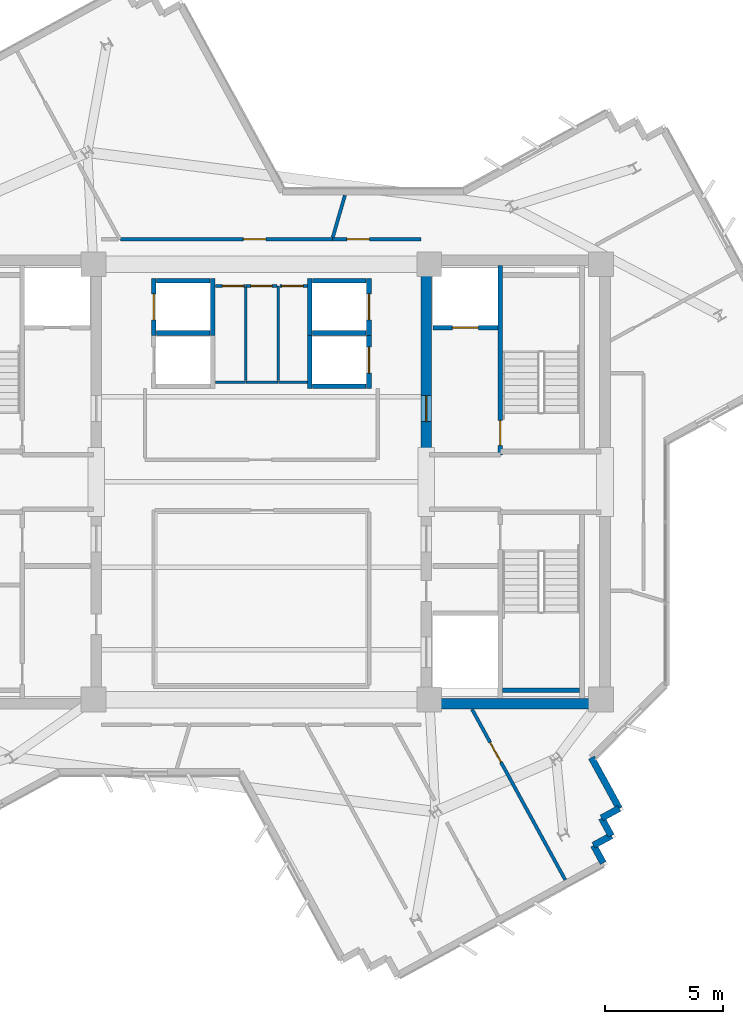
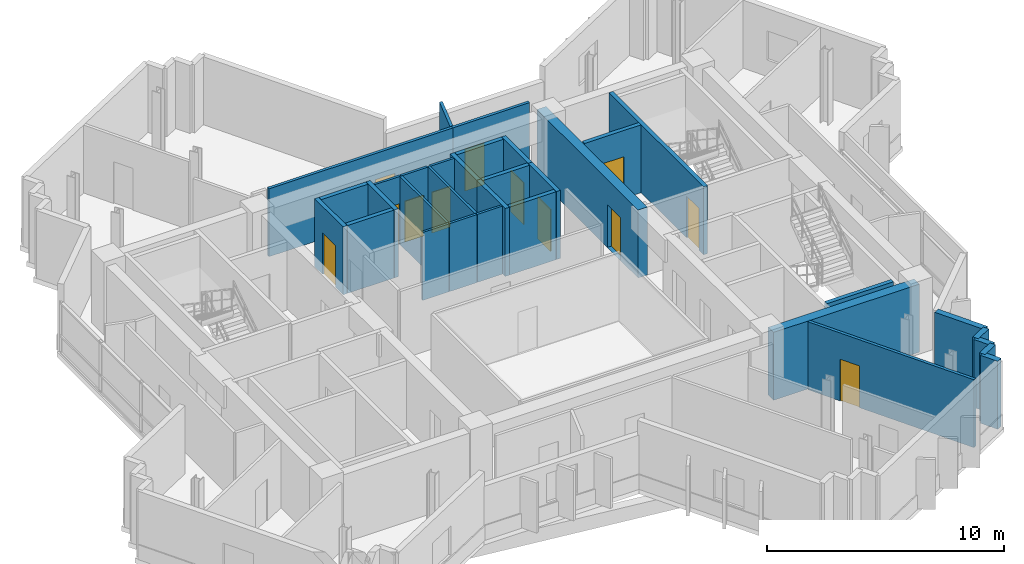
# One storey, part 7 of 13: 33 walls, 12 doors, 12 openings.
"""IFC4 building model written with IfcOpenShell, lengths in metres."""

from ifc_helpers import new_model, si_unit, direction, frame, frame_2d, origin, place, context, subcontext, project, spatial, rectangle, extrude, source, transform, mapped, material, layer, layer_set, type_object, element, fill, save


model = new_model("IFC4")

# Units and contexts
model_context = context("Model", 3, precision=1e-05, world=origin(), true_north=direction((0.0, 1.0)))
body_context = subcontext(model_context, "Body", "Model", "MODEL_VIEW")
ifc_project = project(units=[si_unit("LENGTHUNIT", "METRE"), si_unit("AREAUNIT", "SQUARE_METRE"), si_unit("VOLUMEUNIT", "CUBIC_METRE"), si_unit("PLANEANGLEUNIT", "RADIAN"), si_unit("MASSUNIT", "GRAM", prefix="KILO")], contexts=[model_context])

# Site, building, storey
site_placement = place(None, origin())
site = spatial("IfcSite", under=ifc_project, at=site_placement, CompositionType="ELEMENT")
building_placement = place(site_placement, origin())
building = spatial("IfcBuilding", under=site, at=building_placement, Name="Zahravan Cultural Tower", CompositionType="ELEMENT")
storey_placement = place(building_placement, frame((0.0, 0.0, 254.10009765625)))
storey = spatial("IfcBuildingStorey", under=building, at=storey_placement, Name="L60", CompositionType="ELEMENT", Elevation=254.10009765625)

# Wall, opening, door
ifc_material_1 = material(Name="Concrete C50/60", Category="concrete")
ifc_layer_1 = layer(ifc_material_1, 0.449951171875)
ifc_layer_set_1 = layer_set([ifc_layer_1], Name="Concrete C50/60")
wall_type_1 = type_object("IfcWallType", Name="CW-SHEAR-450-C50", PredefinedType="SHEAR", material=ifc_layer_set_1)
wall_1_placement = place(storey_placement, frame((42.97509765625, 28.050048828125, 0.0), z_axis=(0.0, 0.0, 1.0), x_axis=(0.0, 1.0, 0.0)))
wall_1 = element("IfcWall", 1, at=wall_1_placement, inside=storey, type_object=wall_type_1, Name="L60 Core Shear Wall CW-E-WN-L60", PredefinedType="SHEAR", context=body_context, shape_type="SweptSolid", body=[
    extrude(rectangle(XDim=8.550048828125, YDim=0.449951171875, at=frame_2d((4.27490234375, 0.0))), origin(), (0.0, 0.0, 1.0), 3.5),
])
opening_1_placement = place(wall_1_placement, frame((1.5, 0.0, 0.0)))
opening_1 = element("IfcOpeningElement", 2, at=opening_1_placement, cuts=wall_1, Name="Opening D-L60-07", PredefinedType="OPENING", context=body_context, shape_type="SweptSolid", body=[
    extrude(rectangle(XDim=1.10009765625, YDim=2.199951171875, at=frame_2d((0.550048828125, 1.10009765625))), frame((0.0, 0.23486328125, 0.0), z_axis=(0.0, -1.0, 0.0), x_axis=(1.0, 0.0, 0.0)), (0.0, 0.0, 1.0), 0.469970703125),
])
ifc_material_2 = material(Name="Steel ASTM A572 Grade 50", Category="steel")
door_type_1 = type_object("IfcDoorType", Name="DR-LOBBY-1100", OperationType="NOTDEFINED", PredefinedType="DOOR", material=ifc_material_2)
shared_shape_1 = source(origin(), body_context, "Body", "SweptSolid", [
    extrude(rectangle(XDim=1.10009765625, YDim=2.199951171875, at=frame_2d((0.550048828125, 1.10009765625))), frame((0.0, 0.02490234375, 0.0), z_axis=(0.0, -1.0, 0.0), x_axis=(1.0, 0.0, 0.0)), (0.0, 0.0, 1.0), 0.050048828125),
])
door_1_placement = place(opening_1_placement, origin())
door_1 = element("IfcDoor", 3, at=door_1_placement, inside=storey, type_object=door_type_1, Name="L60 Door D-L60-07", OperationType="SINGLE_SWING_LEFT", OverallHeight=2.199951171875, OverallWidth=1.10009765625, PredefinedType="DOOR", context=body_context, shape_type="MappedRepresentation", body=[
    mapped(shared_shape_1, transform((0.0, 0.0, 0.0), x_axis=(1.0, 0.0, 0.0), y_axis=(0.0, 1.0, 0.0), z_axis=(0.0, 0.0, 1.0), scale=1.0)),
])
fill(opening_1, door_1)

ifc_material_3 = material(Name="Gypsum plasterboard partition")
ifc_layer_2 = layer(ifc_material_3, 0.139892578125)
ifc_layer_set_2 = layer_set([ifc_layer_2], Name="Gypsum plasterboard partition")
wall_type_2 = type_object("IfcWallType", Name="W-PART-140", PredefinedType="PARTITIONING", material=ifc_layer_set_2)
wall_2_placement = place(storey_placement, frame((44.905517578125, 17.39501953125, 0.0), z_axis=(0.0, 0.0, 1.0), x_axis=(0.479449534835, -0.877569452264, 0.0)))
wall_2 = element("IfcWall", 4, at=wall_2_placement, inside=storey, type_object=wall_type_2, Name="L60 Interior Wall 053", PredefinedType="PARTITIONING", context=body_context, shape_type="SweptSolid", body=[
    extrude(rectangle(XDim=8.216064453125, YDim=0.139892578125, at=frame_2d((4.10791015625, 0.0))), origin(), (0.0, 0.0, 1.0), 3.5),
])
opening_2_placement = place(wall_2_placement, frame((1.5986328125, 0.0, 0.0)))
opening_2 = element("IfcOpeningElement", 5, at=opening_2_placement, cuts=wall_2, Name="Opening D-L60-28", PredefinedType="OPENING", context=body_context, shape_type="SweptSolid", body=[
    extrude(rectangle(XDim=0.949951171875, YDim=2.14990234375, at=frame_2d((0.47509765625, 1.074951171875))), frame((0.0, 0.079833984375, 0.0), z_axis=(0.0, -1.0, 0.0), x_axis=(1.0, 0.0, 0.0)), (0.0, 0.0, 1.0), 0.159912109375),
])
ifc_material_4 = material(Name="Anodised bronze-aluminium mullion", Category="aluminium")
door_type_2 = type_object("IfcDoorType", Name="DR-ROOM-950", OperationType="NOTDEFINED", PredefinedType="DOOR", material=ifc_material_4)
shared_shape_2 = source(origin(), body_context, "Body", "SweptSolid", [
    extrude(rectangle(XDim=0.949951171875, YDim=2.14990234375, at=frame_2d((0.47509765625, 1.074951171875))), frame((0.0, 0.02490234375, 0.0), z_axis=(0.0, -1.0, 0.0), x_axis=(1.0, 0.0, 0.0)), (0.0, 0.0, 1.0), 0.050048828125),
])
door_2_placement = place(opening_2_placement, origin())
door_2 = element("IfcDoor", 6, at=door_2_placement, inside=storey, type_object=door_type_2, Name="L60 Door D-L60-28", OperationType="SINGLE_SWING_RIGHT", OverallHeight=2.14990234375, OverallWidth=0.949951171875, PredefinedType="DOOR", context=body_context, shape_type="MappedRepresentation", body=[
    mapped(shared_shape_2, transform((0.0, 0.0, 0.0), x_axis=(1.0, 0.0, 0.0), y_axis=(0.0, 1.0, 0.0), z_axis=(0.0, 0.0, 1.0), scale=1.0)),
])
fill(opening_2, door_2)

wall_3_placement = place(storey_placement, frame((42.74658203125, 37.2587890625, 0.0), z_axis=(0.0, 0.0, 1.0), x_axis=(-0.99999994699, 0.000325605609, 0.0)))
wall_3 = element("IfcWall", 7, at=wall_3_placement, inside=storey, type_object=wall_type_2, Name="L60 Interior Wall 074", PredefinedType="PARTITIONING", context=body_context, shape_type="SweptSolid", body=[
    extrude(rectangle(XDim=3.7490234375, YDim=0.139892578125, at=frame_2d((1.87451171875, 0.0))), origin(), (0.0, 0.0, 1.0), 3.5),
])
opening_3_placement = place(wall_3_placement, frame((2.183349609375, 0.0, 0.0)))
opening_3 = element("IfcOpeningElement", 8, at=opening_3_placement, cuts=wall_3, Name="Opening D-L60-18", PredefinedType="OPENING", context=body_context, shape_type="SweptSolid", body=[
    extrude(rectangle(XDim=0.949951171875, YDim=2.14990234375, at=frame_2d((0.47509765625, 1.074951171875))), frame((0.0, 0.079833984375, 0.0), z_axis=(0.0, -1.0, 0.0), x_axis=(1.0, 0.0, 0.0)), (0.0, 0.0, 1.0), 0.159912109375),
])
door_3_placement = place(opening_3_placement, origin())
door_3 = element("IfcDoor", 9, at=door_3_placement, inside=storey, type_object=door_type_2, Name="L60 Door D-L60-18", OperationType="SINGLE_SWING_RIGHT", OverallHeight=2.14990234375, OverallWidth=0.949951171875, PredefinedType="DOOR", context=body_context, shape_type="MappedRepresentation", body=[
    mapped(shared_shape_2, transform((0.0, 0.0, 0.0), x_axis=(1.0, 0.0, 0.0), y_axis=(0.0, 1.0, 0.0), z_axis=(0.0, 0.0, 1.0), scale=1.0)),
])
fill(opening_3, door_3)

wall_4_placement = place(storey_placement, frame((38.99755859375, 37.260009765625, 0.0), z_axis=(0.0, 0.0, 1.0), x_axis=(-1.0, 0.0, 0.0)))
wall_4 = element("IfcWall", 10, at=wall_4_placement, inside=storey, type_object=wall_type_2, Name="L60 Interior Wall 085", PredefinedType="PARTITIONING", context=body_context, shape_type="SweptSolid", body=[
    extrude(rectangle(XDim=8.956298828125, YDim=0.139892578125, at=frame_2d((4.47802734375, 0.0))), origin(), (0.0, 0.0, 1.0), 3.5),
])
opening_4_placement = place(wall_4_placement, frame((2.80224609375, 0.0, 0.0)))
opening_4 = element("IfcOpeningElement", 11, at=opening_4_placement, cuts=wall_4, Name="Opening D-L60-19", PredefinedType="OPENING", context=body_context, shape_type="SweptSolid", body=[
    extrude(rectangle(XDim=0.949951171875, YDim=2.14990234375, at=frame_2d((0.47509765625, 1.074951171875))), frame((0.0, 0.079833984375, 0.0), z_axis=(0.0, -1.0, 0.0), x_axis=(1.0, 0.0, 0.0)), (0.0, 0.0, 1.0), 0.159912109375),
])
door_4_placement = place(opening_4_placement, origin())
door_4 = element("IfcDoor", 12, at=door_4_placement, inside=storey, type_object=door_type_2, Name="L60 Door D-L60-19", OperationType="SINGLE_SWING_LEFT", OverallHeight=2.14990234375, OverallWidth=0.949951171875, PredefinedType="DOOR", context=body_context, shape_type="MappedRepresentation", body=[
    mapped(shared_shape_2, transform((0.0, 0.0, 0.0), x_axis=(1.0, 0.0, 0.0), y_axis=(0.0, 1.0, 0.0), z_axis=(0.0, 0.0, 1.0), scale=1.0)),
])
fill(opening_4, door_4)

ifc_material_5 = material(Name="Concrete C45/55", Category="concrete")
ifc_layer_3 = layer(ifc_material_5, 0.199951171875)
ifc_layer_set_3 = layer_set([ifc_layer_3], Name="Concrete C45/55")
wall_type_3 = type_object("IfcWallType", Name="W-SHAFT-200", PredefinedType="SOLIDWALL", material=ifc_layer_set_3)
wall_5_placement = place(storey_placement, frame((46.10009765625, 28.14990234375, 0.0), z_axis=(0.0, 0.0, 1.0), x_axis=(0.0, 1.0, 0.0)))
wall_5 = element("IfcWall", 13, at=wall_5_placement, inside=storey, type_object=wall_type_3, Name="L60 Interior Wall 008", PredefinedType="SOLIDWALL", context=body_context, shape_type="SweptSolid", body=[
    extrude(rectangle(XDim=8.0, YDim=0.199951171875, at=frame_2d((4.0, 0.0))), origin(), (0.0, 0.0, 1.0), 3.5),
])
opening_5_placement = place(wall_5_placement, frame((0.39990234375, 0.0, 0.0)))
opening_5 = element("IfcOpeningElement", 14, at=opening_5_placement, cuts=wall_5, Name="Opening D-L60-02", PredefinedType="OPENING", context=body_context, shape_type="SweptSolid", body=[
    extrude(rectangle(XDim=1.050048828125, YDim=2.14990234375, at=frame_2d((0.52490234375, 1.074951171875))), frame((0.0, 0.10986328125, 0.0), z_axis=(0.0, -1.0, 0.0), x_axis=(1.0, 0.0, 0.0)), (0.0, 0.0, 1.0), 0.219970703125),
])
door_type_3 = type_object("IfcDoorType", Name="DR-STAIR-1050", OperationType="NOTDEFINED", PredefinedType="DOOR", material=ifc_material_2)
shared_shape_3 = source(origin(), body_context, "Body", "SweptSolid", [
    extrude(rectangle(XDim=1.050048828125, YDim=2.14990234375, at=frame_2d((0.52490234375, 1.074951171875))), frame((0.0, 0.02490234375, 0.0), z_axis=(0.0, -1.0, 0.0), x_axis=(1.0, 0.0, 0.0)), (0.0, 0.0, 1.0), 0.050048828125),
])
door_5_placement = place(opening_5_placement, origin())
door_5 = element("IfcDoor", 15, at=door_5_placement, inside=storey, type_object=door_type_3, Name="L60 Door D-L60-02", OperationType="SINGLE_SWING_RIGHT", OverallHeight=2.14990234375, OverallWidth=1.050048828125, PredefinedType="DOOR", context=body_context, shape_type="MappedRepresentation", body=[
    mapped(shared_shape_3, transform((0.0, 0.0, 0.0), x_axis=(1.0, 0.0, 0.0), y_axis=(0.0, 1.0, 0.0), z_axis=(0.0, 0.0, 1.0), scale=1.0)),
])
fill(opening_5, door_5)

wall_6_placement = place(storey_placement, frame((43.25, 33.52001953125, 0.0), z_axis=(0.0, 0.0, 1.0), x_axis=(1.0, 0.0, 0.0)))
wall_6 = element("IfcWall", 16, at=wall_6_placement, inside=storey, type_object=wall_type_3, Name="L60 Interior Wall 023", PredefinedType="SOLIDWALL", context=body_context, shape_type="SweptSolid", body=[
    extrude(rectangle(XDim=2.75, YDim=0.199951171875, at=frame_2d((1.375, 0.0))), origin(), (0.0, 0.0, 1.0), 3.5),
])
opening_6_placement = place(wall_6_placement, frame((0.820068359375, 0.0, 0.0)))
opening_6 = element("IfcOpeningElement", 17, at=opening_6_placement, cuts=wall_6, Name="Opening LD-L60-02", PredefinedType="OPENING", context=body_context, shape_type="SweptSolid", body=[
    extrude(rectangle(XDim=1.10009765625, YDim=2.14990234375, at=frame_2d((0.550048828125, 1.074951171875))), frame((0.0, 0.10986328125, 0.0), z_axis=(0.0, -1.0, 0.0), x_axis=(1.0, 0.0, 0.0)), (0.0, 0.0, 1.0), 0.219970703125),
])
door_type_4 = type_object("IfcDoorType", Name="DR-LIFT-1100", OperationType="DOUBLE_DOOR_SLIDING", PredefinedType="DOOR", material=ifc_material_2)
shared_shape_4 = source(origin(), body_context, "Body", "SweptSolid", [
    extrude(rectangle(XDim=1.10009765625, YDim=2.14990234375, at=frame_2d((0.550048828125, 1.074951171875))), frame((0.0, 0.02490234375, 0.0), z_axis=(0.0, -1.0, 0.0), x_axis=(1.0, 0.0, 0.0)), (0.0, 0.0, 1.0), 0.050048828125),
])
door_6_placement = place(opening_6_placement, origin())
door_6 = element("IfcDoor", 18, at=door_6_placement, inside=storey, type_object=door_type_4, Name="L60 Door LD-L60-02", OperationType="DOUBLE_DOOR_SLIDING", OverallHeight=2.14990234375, OverallWidth=1.10009765625, PredefinedType="DOOR", context=body_context, shape_type="MappedRepresentation", body=[
    mapped(shared_shape_4, transform((0.0, 0.0, 0.0), x_axis=(1.0, 0.0, 0.0), y_axis=(0.0, 1.0, 0.0), z_axis=(0.0, 0.0, 1.0), scale=1.0)),
])
fill(opening_6, door_6)

wall_7_placement = place(storey_placement, frame((31.449951171875, 33.199951171875, 0.0), z_axis=(0.0, 0.0, 1.0), x_axis=(0.0, 1.0, 0.0)))
wall_7 = element("IfcWall", 19, at=wall_7_placement, inside=storey, type_object=wall_type_3, Name="L60 Interior Wall 027", PredefinedType="SOLIDWALL", context=body_context, shape_type="SweptSolid", body=[
    extrude(rectangle(XDim=2.400146484375, YDim=0.199951171875, at=frame_2d((1.2001953125, 0.0))), origin(), (0.0, 0.0, 1.0), 3.5),
])
opening_7_placement = place(wall_7_placement, frame((0.64990234375, 0.0, 0.0)))
opening_7 = element("IfcOpeningElement", 20, at=opening_7_placement, cuts=wall_7, Name="Opening LD-L60-04", PredefinedType="OPENING", context=body_context, shape_type="SweptSolid", body=[
    extrude(rectangle(XDim=1.10009765625, YDim=2.14990234375, at=frame_2d((0.550048828125, 1.074951171875))), frame((0.0, 0.10986328125, 0.0), z_axis=(0.0, -1.0, 0.0), x_axis=(1.0, 0.0, 0.0)), (0.0, 0.0, 1.0), 0.219970703125),
])
door_7_placement = place(opening_7_placement, origin())
door_7 = element("IfcDoor", 21, at=door_7_placement, inside=storey, type_object=door_type_4, Name="L60 Door LD-L60-04", OperationType="DOUBLE_DOOR_SLIDING", OverallHeight=2.14990234375, OverallWidth=1.10009765625, PredefinedType="DOOR", context=body_context, shape_type="MappedRepresentation", body=[
    mapped(shared_shape_4, transform((0.0, 0.0, 0.0), x_axis=(1.0, 0.0, 0.0), y_axis=(0.0, 1.0, 0.0), z_axis=(0.0, 0.0, 1.0), scale=1.0)),
])
fill(opening_7, door_7)

wall_8_placement = place(storey_placement, frame((40.550048828125, 33.199951171875, 0.0), z_axis=(0.0, 0.0, 1.0), x_axis=(0.0, 1.0, 0.0)))
wall_8 = element("IfcWall", 22, at=wall_8_placement, inside=storey, type_object=wall_type_3, Name="L60 Interior Wall 035", PredefinedType="SOLIDWALL", context=body_context, shape_type="SweptSolid", body=[
    extrude(rectangle(XDim=2.400146484375, YDim=0.199951171875, at=frame_2d((1.2001953125, 0.0))), origin(), (0.0, 0.0, 1.0), 3.5),
])
opening_8_placement = place(wall_8_placement, frame((0.64990234375, 0.0, 0.0)))
opening_8 = element("IfcOpeningElement", 23, at=opening_8_placement, cuts=wall_8, Name="Opening LD-L60-06", PredefinedType="OPENING", context=body_context, shape_type="SweptSolid", body=[
    extrude(rectangle(XDim=1.10009765625, YDim=2.14990234375, at=frame_2d((0.550048828125, 1.074951171875))), frame((0.0, 0.10986328125, 0.0), z_axis=(0.0, -1.0, 0.0), x_axis=(1.0, 0.0, 0.0)), (0.0, 0.0, 1.0), 0.219970703125),
])
door_8_placement = place(opening_8_placement, origin())
door_8 = element("IfcDoor", 24, at=door_8_placement, inside=storey, type_object=door_type_4, Name="L60 Door LD-L60-06", OperationType="DOUBLE_DOOR_SLIDING", OverallHeight=2.14990234375, OverallWidth=1.10009765625, PredefinedType="DOOR", context=body_context, shape_type="MappedRepresentation", body=[
    mapped(shared_shape_4, transform((0.0, 0.0, 0.0), x_axis=(1.0, 0.0, 0.0), y_axis=(0.0, 1.0, 0.0), z_axis=(0.0, 0.0, 1.0), scale=1.0)),
])
fill(opening_8, door_8)

wall_9_placement = place(storey_placement, frame((40.550048828125, 30.949951171875, 0.0), z_axis=(0.0, 0.0, 1.0), x_axis=(0.0, 1.0, 0.0)))
wall_9 = element("IfcWall", 25, at=wall_9_placement, inside=storey, type_object=wall_type_3, Name="L60 Interior Wall 039", PredefinedType="SOLIDWALL", context=body_context, shape_type="SweptSolid", body=[
    extrude(rectangle(XDim=2.400146484375, YDim=0.199951171875, at=frame_2d((1.2001953125, 0.0))), origin(), (0.0, 0.0, 1.0), 3.5),
])
opening_9_placement = place(wall_9_placement, frame((0.64990234375, 0.0, 0.0)))
opening_9 = element("IfcOpeningElement", 26, at=opening_9_placement, cuts=wall_9, Name="Opening LD-L60-07", PredefinedType="OPENING", context=body_context, shape_type="SweptSolid", body=[
    extrude(rectangle(XDim=1.10009765625, YDim=2.14990234375, at=frame_2d((0.550048828125, 1.074951171875))), frame((0.0, 0.10986328125, 0.0), z_axis=(0.0, -1.0, 0.0), x_axis=(1.0, 0.0, 0.0)), (0.0, 0.0, 1.0), 0.219970703125),
])
door_9_placement = place(opening_9_placement, origin())
door_9 = element("IfcDoor", 27, at=door_9_placement, inside=storey, type_object=door_type_4, Name="L60 Door LD-L60-07", OperationType="DOUBLE_DOOR_SLIDING", OverallHeight=2.14990234375, OverallWidth=1.10009765625, PredefinedType="DOOR", context=body_context, shape_type="MappedRepresentation", body=[
    mapped(shared_shape_4, transform((0.0, 0.0, 0.0), x_axis=(1.0, 0.0, 0.0), y_axis=(0.0, 1.0, 0.0), z_axis=(0.0, 0.0, 1.0), scale=1.0)),
])
fill(opening_9, door_9)

ifc_layer_4 = layer(ifc_material_3, 0.114990234375)
ifc_layer_set_4 = layer_set([ifc_layer_4], Name="Gypsum plasterboard partition")
wall_type_4 = type_object("IfcWallType", Name="W-WC-115", PredefinedType="PARTITIONING", material=ifc_layer_set_4)
wall_10_placement = place(storey_placement, frame((36.782470703125, 35.280029296875, 0.0), z_axis=(0.0, 0.0, 1.0), x_axis=(1.0, 0.0, 0.0)))
wall_10 = element("IfcWall", 28, at=wall_10_placement, inside=storey, type_object=wall_type_4, Name="L60 Interior Wall 043", PredefinedType="PARTITIONING", context=body_context, shape_type="SweptSolid", body=[
    extrude(rectangle(XDim=1.16259765625, YDim=0.114990234375, at=frame_2d((0.581298828125, 0.0))), origin(), (0.0, 0.0, 1.0), 3.5),
])
opening_10_placement = place(wall_10_placement, frame((0.0888671875, 0.0, 0.0)))
opening_10 = element("IfcOpeningElement", 29, at=opening_10_placement, cuts=wall_10, Name="Opening D-L60-15", PredefinedType="OPENING", context=body_context, shape_type="SweptSolid", body=[
    extrude(rectangle(XDim=0.89990234375, YDim=2.10009765625, at=frame_2d((0.449951171875, 1.050048828125))), frame((0.0, 0.0673828125, 0.0), z_axis=(0.0, -1.0, 0.0), x_axis=(1.0, 0.0, 0.0)), (0.0, 0.0, 1.0), 0.135009765625),
])
door_type_5 = type_object("IfcDoorType", Name="DR-WC-900", OperationType="NOTDEFINED", PredefinedType="DOOR", material=ifc_material_4)
shared_shape_5 = source(origin(), body_context, "Body", "SweptSolid", [
    extrude(rectangle(XDim=0.89990234375, YDim=2.10009765625, at=frame_2d((0.449951171875, 1.050048828125))), frame((0.0, 0.02490234375, 0.0), z_axis=(0.0, -1.0, 0.0), x_axis=(1.0, 0.0, 0.0)), (0.0, 0.0, 1.0), 0.050048828125),
])
door_10_placement = place(opening_10_placement, origin())
door_10 = element("IfcDoor", 30, at=door_10_placement, inside=storey, type_object=door_type_5, Name="L60 Door D-L60-15", OperationType="SINGLE_SWING_LEFT", OverallHeight=2.10009765625, OverallWidth=0.89990234375, PredefinedType="DOOR", context=body_context, shape_type="MappedRepresentation", body=[
    mapped(shared_shape_5, transform((0.0, 0.0, 0.0), x_axis=(1.0, 0.0, 0.0), y_axis=(0.0, 1.0, 0.0), z_axis=(0.0, 0.0, 1.0), scale=1.0)),
])
fill(opening_10, door_10)

wall_11_placement = place(storey_placement, frame((34.054931640625, 35.280029296875, 0.0), z_axis=(0.0, 0.0, 1.0), x_axis=(1.0, 0.0, 0.0)))
wall_11 = element("IfcWall", 31, at=wall_11_placement, inside=storey, type_object=wall_type_4, Name="L60 Interior Wall 045", PredefinedType="PARTITIONING", context=body_context, shape_type="SweptSolid", body=[
    extrude(rectangle(XDim=1.28515625, YDim=0.114990234375, at=frame_2d((0.642578125, 0.0))), origin(), (0.0, 0.0, 1.0), 3.5),
])
opening_11_placement = place(wall_11_placement, frame((0.30029296875, 0.0, 0.0)))
opening_11 = element("IfcOpeningElement", 32, at=opening_11_placement, cuts=wall_11, Name="Opening D-L60-13", PredefinedType="OPENING", context=body_context, shape_type="SweptSolid", body=[
    extrude(rectangle(XDim=0.89990234375, YDim=2.10009765625, at=frame_2d((0.449951171875, 1.050048828125))), frame((0.0, 0.0673828125, 0.0), z_axis=(0.0, -1.0, 0.0), x_axis=(1.0, 0.0, 0.0)), (0.0, 0.0, 1.0), 0.135009765625),
])
door_11_placement = place(opening_11_placement, origin())
door_11 = element("IfcDoor", 33, at=door_11_placement, inside=storey, type_object=door_type_5, Name="L60 Door D-L60-13", OperationType="SINGLE_SWING_LEFT", OverallHeight=2.10009765625, OverallWidth=0.89990234375, PredefinedType="DOOR", context=body_context, shape_type="MappedRepresentation", body=[
    mapped(shared_shape_5, transform((0.0, 0.0, 0.0), x_axis=(1.0, 0.0, 0.0), y_axis=(0.0, 1.0, 0.0), z_axis=(0.0, 0.0, 1.0), scale=1.0)),
])
fill(opening_11, door_11)

wall_12_placement = place(storey_placement, frame((35.360107421875, 35.280029296875, 0.0), z_axis=(0.0, 0.0, 1.0), x_axis=(1.0, 0.0, 0.0)))
wall_12 = element("IfcWall", 34, at=wall_12_placement, inside=storey, type_object=wall_type_4, Name="L60 Interior Wall 048", PredefinedType="PARTITIONING", context=body_context, shape_type="SweptSolid", body=[
    extrude(rectangle(XDim=1.29736328125, YDim=0.114990234375, at=frame_2d((0.648681640625, 0.0))), origin(), (0.0, 0.0, 1.0), 3.5),
])
opening_12_placement = place(wall_12_placement, frame((0.19873046875, 0.0, 0.0)))
opening_12 = element("IfcOpeningElement", 35, at=opening_12_placement, cuts=wall_12, Name="Opening D-L60-14", PredefinedType="OPENING", context=body_context, shape_type="SweptSolid", body=[
    extrude(rectangle(XDim=0.89990234375, YDim=2.10009765625, at=frame_2d((0.449951171875, 1.050048828125))), frame((0.0, 0.0673828125, 0.0), z_axis=(0.0, -1.0, 0.0), x_axis=(1.0, 0.0, 0.0)), (0.0, 0.0, 1.0), 0.135009765625),
])
door_12_placement = place(opening_12_placement, origin())
door_12 = element("IfcDoor", 36, at=door_12_placement, inside=storey, type_object=door_type_5, Name="L60 Door D-L60-14", OperationType="SINGLE_SWING_RIGHT", OverallHeight=2.10009765625, OverallWidth=0.89990234375, PredefinedType="DOOR", context=body_context, shape_type="MappedRepresentation", body=[
    mapped(shared_shape_5, transform((0.0, 0.0, 0.0), x_axis=(1.0, 0.0, 0.0), y_axis=(0.0, 1.0, 0.0), z_axis=(0.0, 0.0, 1.0), scale=1.0)),
])
fill(opening_12, door_12)

# Walls
shared_shape_6 = source(origin(), body_context, "Body", "SweptSolid", [
    extrude(rectangle(XDim=7.10009765625, YDim=0.449951171875, at=frame_2d((3.550048828125, 0.0))), origin(), (0.0, 0.0, 1.0), 3.5),
])
wall_13_placement = place(storey_placement, frame((43.199951171875, 17.625, 0.0), z_axis=(0.0, 0.0, 1.0), x_axis=(1.0, 0.0, 0.0)))
element("IfcWall", 37, at=wall_13_placement, inside=storey, type_object=wall_type_1, Name="L60 Core Shear Wall CW-E-S-L60", PredefinedType="SHEAR", context=body_context, shape_type="MappedRepresentation", body=[
    mapped(shared_shape_6, transform((0.0, 0.0, 0.0), x_axis=(1.0, 0.0, 0.0), y_axis=(0.0, 1.0, 0.0), z_axis=(0.0, 0.0, 1.0), scale=1.0)),
])
ifc_material_6 = material(Name="Precast concrete C40/50", Category="concrete")
ifc_layer_5 = layer(ifc_material_6, 0.280029296875)
ifc_layer_set_5 = layer_set([ifc_layer_5], Name="Precast concrete C40/50")
wall_type_5 = type_object("IfcWallType", Name="EW-TC-280", PredefinedType="SOLIDWALL", material=ifc_layer_set_5)
shared_shape_7 = source(origin(), body_context, "Body", "SweptSolid", [
    extrude(rectangle(XDim=0.85009765625, YDim=0.280029296875, at=frame_2d((0.425048828125, 0.0))), origin(), (0.0, 0.0, 1.0), 3.5),
])
for number, where, z_axis, x_axis, name in (
    (38, (50.380859375, 12.7958984375, 0.0), (0.0, 0.0, 1.0), (0.479656876283, -0.877456141943, 0.0), "L60 Exterior Masonry Frame Wall 15"),
    (39, (50.78857421875, 12.050048828125, 0.0), (0.0, 0.0, 1.0), (-0.877643019177, -0.479314855696, 0.0), "L60 Exterior Masonry Frame Wall 16"),
):
    element("IfcWall", number, at=place(storey_placement, frame(where, z_axis=z_axis, x_axis=x_axis)), inside=storey, type_object=wall_type_5, Name=name, PredefinedType="SOLIDWALL", context=body_context, shape_type="MappedRepresentation", body=[
        mapped(shared_shape_7, transform((0.0, 0.0, 0.0), x_axis=(1.0, 0.0, 0.0), y_axis=(0.0, 1.0, 0.0), z_axis=(0.0, 0.0, 1.0), scale=1.0)),
    ])
shared_shape_8 = source(origin(), body_context, "Body", "SweptSolid", [
    extrude(rectangle(XDim=0.850341796875, YDim=0.280029296875, at=frame_2d((0.42529296875, 0.0))), origin(), (0.0, 0.0, 1.0), 3.5),
])
for number, where, z_axis, x_axis, name in (
    (40, (51.126953125, 13.20361328125, 0.0), (0.0, 0.0, 1.0), (-0.87752219781, -0.479536017782, 0.0), "L60 Exterior Masonry Frame Wall 14"),
    (41, (50.04248046875, 11.642578125, 0.0), (0.0, 0.0, 1.0), (0.479536017782, -0.87752219781, 0.0), "L60 Exterior Masonry Frame Wall 17"),
):
    element("IfcWall", number, at=place(storey_placement, frame(where, z_axis=z_axis, x_axis=x_axis)), inside=storey, type_object=wall_type_5, Name=name, PredefinedType="SOLIDWALL", context=body_context, shape_type="MappedRepresentation", body=[
        mapped(shared_shape_8, transform((0.0, 0.0, 0.0), x_axis=(1.0, 0.0, 0.0), y_axis=(0.0, 1.0, 0.0), z_axis=(0.0, 0.0, 1.0), scale=1.0)),
    ])
shared_shape_9 = source(origin(), body_context, "Body", "SweptSolid", [
    extrude(rectangle(XDim=2.447509765625, YDim=0.280029296875, at=frame_2d((1.2236328125, 0.0))), origin(), (0.0, 0.0, 1.0), 3.5),
])
wall_14_placement = place(storey_placement, frame((49.953369140625, 15.351318359375, 0.0), z_axis=(0.0, 0.0, 1.0), x_axis=(0.47951595933, -0.877533158774, 0.0)))
element("IfcWall", 42, at=wall_14_placement, inside=storey, type_object=wall_type_5, Name="L60 Exterior Masonry Frame Wall 13", PredefinedType="SOLIDWALL", context=body_context, shape_type="MappedRepresentation", body=[
    mapped(shared_shape_9, transform((0.0, 0.0, 0.0), x_axis=(1.0, 0.0, 0.0), y_axis=(0.0, 1.0, 0.0), z_axis=(0.0, 0.0, 1.0), scale=1.0)),
])
shared_shape_10 = source(origin(), body_context, "Body", "SweptSolid", [
    extrude(rectangle(XDim=3.25, YDim=0.199951171875, at=frame_2d((1.625, 0.0))), origin(), (0.0, 0.0, 1.0), 3.5),
])
wall_15_placement = place(storey_placement, frame((46.199951171875, 18.199951171875, 0.0), z_axis=(0.0, 0.0, 1.0), x_axis=(1.0, 0.0, 0.0)))
element("IfcWall", 43, at=wall_15_placement, inside=storey, type_object=wall_type_3, Name="L60 Interior Wall 020", PredefinedType="SOLIDWALL", context=body_context, shape_type="MappedRepresentation", body=[
    mapped(shared_shape_10, transform((0.0, 0.0, 0.0), x_axis=(1.0, 0.0, 0.0), y_axis=(0.0, 1.0, 0.0), z_axis=(0.0, 0.0, 1.0), scale=1.0)),
])
shared_shape_11 = source(origin(), body_context, "Body", "SweptSolid", [
    extrude(rectangle(XDim=2.400146484375, YDim=0.199951171875, at=frame_2d((1.2001953125, 0.0))), origin(), (0.0, 0.0, 1.0), 3.5),
])
for number, where, z_axis, x_axis, name in (
    (44, (33.949951171875, 33.199951171875, 0.0), (0.0, 0.0, 1.0), (0.0, 1.0, 0.0), "L60 Interior Wall 028"),
    (45, (38.050048828125, 33.199951171875, 0.0), (0.0, 0.0, 1.0), (0.0, 1.0, 0.0), "L60 Interior Wall 034"),
    (46, (38.050048828125, 30.949951171875, 0.0), (0.0, 0.0, 1.0), (0.0, 1.0, 0.0), "L60 Interior Wall 038"),
):
    element("IfcWall", number, at=place(storey_placement, frame(where, z_axis=z_axis, x_axis=x_axis)), inside=storey, type_object=wall_type_3, Name=name, PredefinedType="SOLIDWALL", context=body_context, shape_type="MappedRepresentation", body=[
        mapped(shared_shape_11, transform((0.0, 0.0, 0.0), x_axis=(1.0, 0.0, 0.0), y_axis=(0.0, 1.0, 0.0), z_axis=(0.0, 0.0, 1.0), scale=1.0)),
    ])
shared_shape_12 = source(origin(), body_context, "Body", "SweptSolid", [
    extrude(rectangle(XDim=2.260009765625, YDim=0.199951171875, at=frame_2d((1.1298828125, 0.0))), origin(), (0.0, 0.0, 1.0), 3.5),
])
for number, where, z_axis, x_axis, name in (
    (47, (31.570068359375, 33.300048828125, 0.0), (0.0, 0.0, 1.0), (1.0, 0.0, 0.0), "L60 Interior Wall 029"),
    (48, (31.570068359375, 35.5, 0.0), (0.0, 0.0, 1.0), (1.0, 0.0, 0.0), "L60 Interior Wall 030"),
    (49, (38.169921875, 33.300048828125, 0.0), (0.0, 0.0, 1.0), (1.0, 0.0, 0.0), "L60 Interior Wall 036"),
    (50, (38.169921875, 35.5, 0.0), (0.0, 0.0, 1.0), (1.0, 0.0, 0.0), "L60 Interior Wall 037"),
    (51, (38.169921875, 31.050048828125, 0.0), (0.0, 0.0, 1.0), (1.0, 0.0, 0.0), "L60 Interior Wall 040"),
):
    element("IfcWall", number, at=place(storey_placement, frame(where, z_axis=z_axis, x_axis=x_axis)), inside=storey, type_object=wall_type_3, Name=name, PredefinedType="SOLIDWALL", context=body_context, shape_type="MappedRepresentation", body=[
        mapped(shared_shape_12, transform((0.0, 0.0, 0.0), x_axis=(1.0, 0.0, 0.0), y_axis=(0.0, 1.0, 0.0), z_axis=(0.0, 0.0, 1.0), scale=1.0)),
    ])
shared_shape_13 = source(origin(), body_context, "Body", "SweptSolid", [
    extrude(rectangle(XDim=1.22509765625, YDim=0.114990234375, at=frame_2d((0.612548828125, 0.0))), origin(), (0.0, 0.0, 1.0), 3.5),
])
wall_16_placement = place(storey_placement, frame((37.945068359375, 31.219970703125, 0.0), z_axis=(0.0, 0.0, 1.0), x_axis=(-1.0, 0.0, 0.0)))
element("IfcWall", 52, at=wall_16_placement, inside=storey, type_object=wall_type_4, Name="L60 Interior Wall 041", PredefinedType="PARTITIONING", context=body_context, shape_type="MappedRepresentation", body=[
    mapped(shared_shape_13, transform((0.0, 0.0, 0.0), x_axis=(1.0, 0.0, 0.0), y_axis=(0.0, 1.0, 0.0), z_axis=(0.0, 0.0, 1.0), scale=1.0)),
])
shared_shape_14 = source(origin(), body_context, "Body", "SweptSolid", [
    extrude(rectangle(XDim=3.99755859375, YDim=0.114990234375, at=frame_2d((1.998779296875, 0.0))), origin(), (0.0, 0.0, 1.0), 3.5),
])
wall_17_placement = place(storey_placement, frame((36.719970703125, 31.282470703125, 0.0), z_axis=(0.0, 0.0, 1.0), x_axis=(0.0, 1.0, 0.0)))
element("IfcWall", 53, at=wall_17_placement, inside=storey, type_object=wall_type_4, Name="L60 Interior Wall 042", PredefinedType="PARTITIONING", context=body_context, shape_type="MappedRepresentation", body=[
    mapped(shared_shape_14, transform((0.0, 0.0, 0.0), x_axis=(1.0, 0.0, 0.0), y_axis=(0.0, 1.0, 0.0), z_axis=(0.0, 0.0, 1.0), scale=1.0)),
])
shared_shape_15 = source(origin(), body_context, "Body", "SweptSolid", [
    extrude(rectangle(XDim=1.28515625, YDim=0.114990234375, at=frame_2d((0.642578125, 0.0))), origin(), (0.0, 0.0, 1.0), 3.5),
])
wall_18_placement = place(storey_placement, frame((35.340087890625, 31.219970703125, 0.0), z_axis=(0.0, 0.0, 1.0), x_axis=(-1.0, 0.0, 0.0)))
element("IfcWall", 54, at=wall_18_placement, inside=storey, type_object=wall_type_4, Name="L60 Interior Wall 044", PredefinedType="PARTITIONING", context=body_context, shape_type="MappedRepresentation", body=[
    mapped(shared_shape_15, transform((0.0, 0.0, 0.0), x_axis=(1.0, 0.0, 0.0), y_axis=(0.0, 1.0, 0.0), z_axis=(0.0, 0.0, 1.0), scale=1.0)),
])
shared_shape_16 = source(origin(), body_context, "Body", "SweptSolid", [
    extrude(rectangle(XDim=3.93505859375, YDim=0.114990234375, at=frame_2d((1.967529296875, 0.0))), origin(), (0.0, 0.0, 1.0), 3.5),
])
wall_19_placement = place(storey_placement, frame((35.340087890625, 35.217529296875, 0.0), z_axis=(0.0, 0.0, 1.0), x_axis=(0.0, -1.0, 0.0)))
element("IfcWall", 55, at=wall_19_placement, inside=storey, type_object=wall_type_4, Name="L60 Interior Wall 046", PredefinedType="PARTITIONING", context=body_context, shape_type="MappedRepresentation", body=[
    mapped(shared_shape_16, transform((0.0, 0.0, 0.0), x_axis=(1.0, 0.0, 0.0), y_axis=(0.0, 1.0, 0.0), z_axis=(0.0, 0.0, 1.0), scale=1.0)),
])
shared_shape_17 = source(origin(), body_context, "Body", "SweptSolid", [
    extrude(rectangle(XDim=1.33984375, YDim=0.114990234375, at=frame_2d((0.669921875, 0.0))), origin(), (0.0, 0.0, 1.0), 3.5),
])
wall_20_placement = place(storey_placement, frame((36.699951171875, 31.219970703125, 0.0), z_axis=(0.0, 0.0, 1.0), x_axis=(-1.0, 0.0, 0.0)))
element("IfcWall", 56, at=wall_20_placement, inside=storey, type_object=wall_type_4, Name="L60 Interior Wall 047", PredefinedType="PARTITIONING", context=body_context, shape_type="MappedRepresentation", body=[
    mapped(shared_shape_17, transform((0.0, 0.0, 0.0), x_axis=(1.0, 0.0, 0.0), y_axis=(0.0, 1.0, 0.0), z_axis=(0.0, 0.0, 1.0), scale=1.0)),
])
shared_shape_18 = source(origin(), body_context, "Body", "SweptSolid", [
    extrude(rectangle(XDim=1.8525390625, YDim=0.139892578125, at=frame_2d((0.92626953125, 0.0))), origin(), (0.0, 0.0, 1.0), 3.5),
])
wall_21_placement = place(storey_placement, frame((39.019287109375, 37.3349609375, 0.0), z_axis=(0.0, 0.0, 1.0), x_axis=(0.276896245691, 0.960899822626, 0.0)))
element("IfcWall", 57, at=wall_21_placement, inside=storey, type_object=wall_type_2, Name="L60 Interior Wall 075", PredefinedType="PARTITIONING", context=body_context, shape_type="MappedRepresentation", body=[
    mapped(shared_shape_18, transform((0.0, 0.0, 0.0), x_axis=(1.0, 0.0, 0.0), y_axis=(0.0, 1.0, 0.0), z_axis=(0.0, 0.0, 1.0), scale=1.0)),
])

save(model, "model.ifc")
